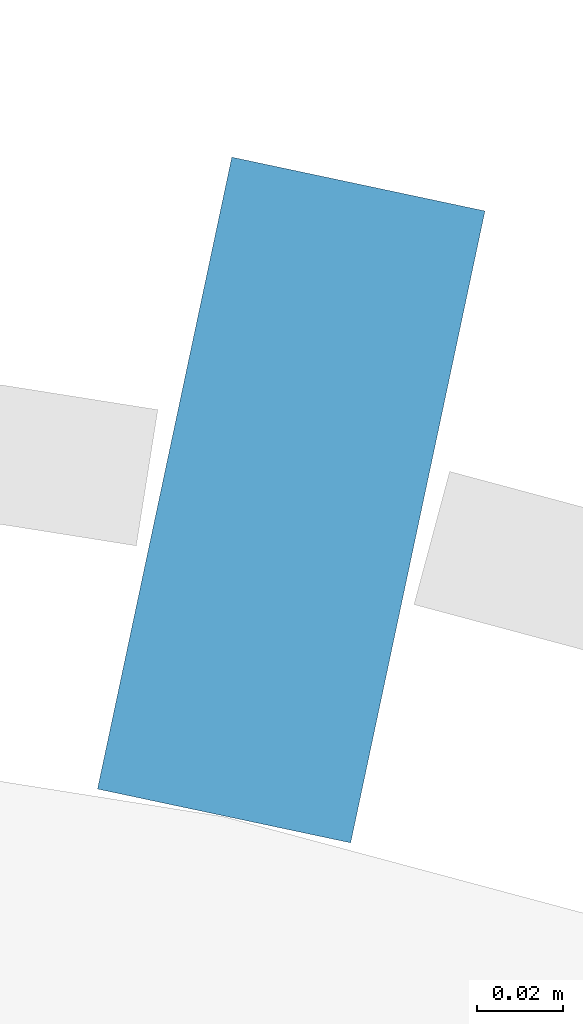
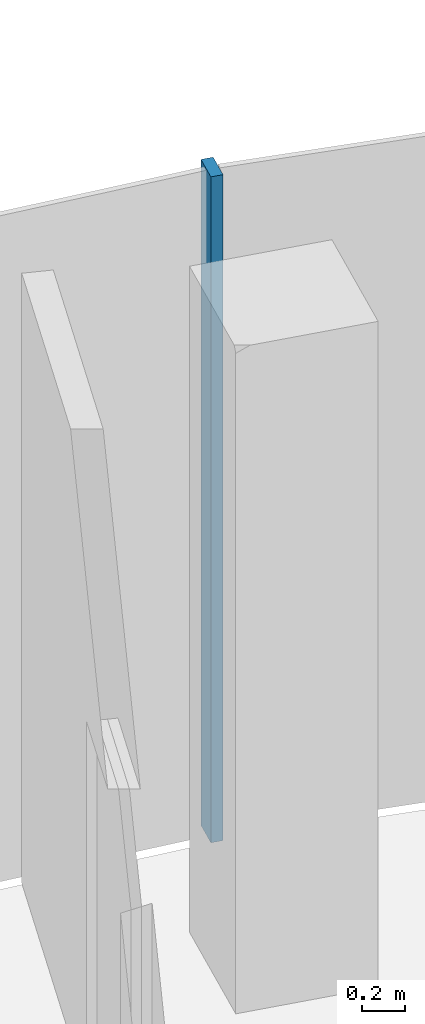
# One storey, part 7 of 18: 1 member, 1 element without a shape of its own.
"""IFC4 building model written with IfcOpenShell, lengths in metres."""

from ifc_helpers import new_model, si_unit, direction, frame, origin, origin_2d, place, context, subcontext, project, spatial, rectangle, extrude, material, layer, layer_set, material_profile, profile_set, type_object, element, aggregate, save


model = new_model("IFC4")

# Units and contexts
model_context = context("Model", 3, precision=1e-05, world=origin(), true_north=direction((0.0, 1.0)))
body_context = subcontext(model_context, "Body", "Model", "MODEL_VIEW")
ifc_project = project(units=[si_unit("LENGTHUNIT", "METRE"), si_unit("AREAUNIT", "SQUARE_METRE"), si_unit("VOLUMEUNIT", "CUBIC_METRE"), si_unit("PLANEANGLEUNIT", "RADIAN"), si_unit("MASSUNIT", "GRAM", prefix="KILO")], contexts=[model_context])

# Site, building, storey
site_placement = place(None, origin())
site = spatial("IfcSite", under=ifc_project, at=site_placement, CompositionType="ELEMENT")
building_placement = place(site_placement, origin())
building = spatial("IfcBuilding", under=site, at=building_placement, Name="Stone Belt Terrace Tower", CompositionType="ELEMENT")
storey_placement = place(building_placement, frame((0.0, 0.0, 277.0)))
storey = spatial("IfcBuildingStorey", under=building, at=storey_placement, Name="L67", CompositionType="ELEMENT", Elevation=277.0)

# Curtain wall, member
ifc_material = material(Name="Aluminium 6063-T6 anodised frame", Category="aluminium")
ifc_layer = layer(ifc_material, 0.14990234375)
ifc_layer_set = layer_set([ifc_layer], Name="CW-A unitised convex-face curtain wall")
curtain_wall_type = type_object("IfcCurtainWallType", Name="CW-A unitised convex-face curtain wall", PredefinedType="NOTDEFINED", material=ifc_layer_set)
curtain_wall_placement = place(storey_placement, origin())
curtain_wall = element("IfcCurtainWall", 1, at=curtain_wall_placement, inside=storey, type_object=curtain_wall_type, Name="CW-A convex face L67", PredefinedType="NOTDEFINED")
ifc_material_profile = material_profile(ifc_material, rectangle(XDim=0.14990234375, YDim=0.06005859375, at=origin_2d()), Name="Aluminium 6063-T6 60x150")
ifc_profile_set = profile_set([ifc_material_profile], Name="Aluminium 6063-T6 anodised frame")
member_type = type_object("IfcMemberType", Name="CW-A mullion 60 x 150", PredefinedType="MULLION", material=ifc_profile_set)
member_placement = place(storey_placement, frame((13.841796875, 65.120361328125, 0.0), z_axis=(0.0, 0.0, 1.0), x_axis=(-0.207911690818, -0.978147600734, 0.0)))
member = element("IfcMember", 2, at=member_placement, type_object=member_type, Name="CW-A mullion 6", PredefinedType="MULLION", context=body_context, shape_type="SweptSolid", body=[
    extrude(rectangle(XDim=0.14990234375, YDim=0.06005859375, at=origin_2d()), origin(), (0.0, 0.0, 1.0), 3.800048828125),
])
aggregate(curtain_wall, [member])

save(model, "model.ifc")
